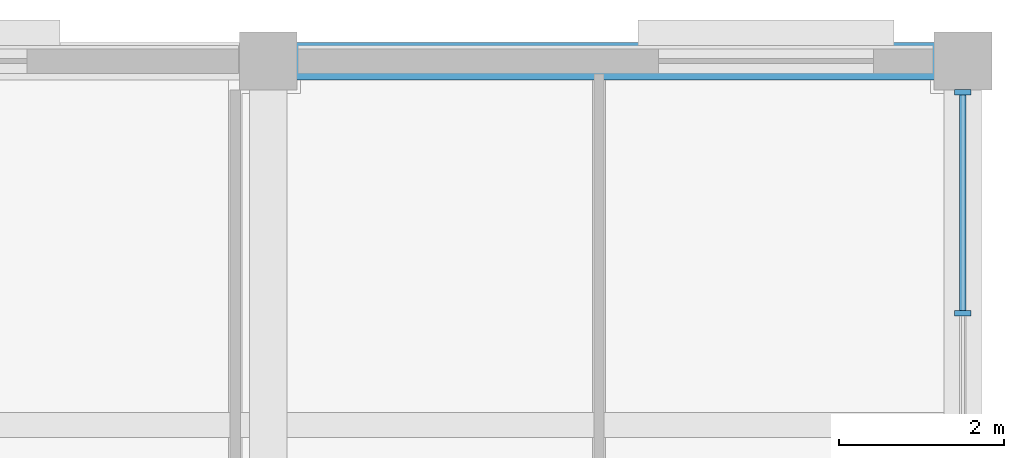
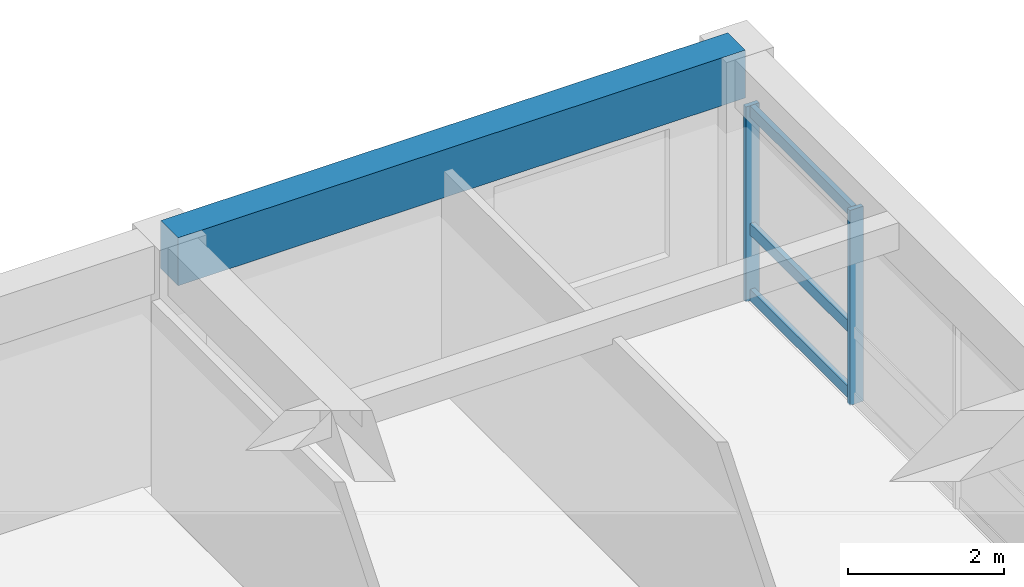
# One storey, part 7 of 13: 5 members, 1 beam, 1 element without a shape of its own.
"""IFC4 building model written with IfcOpenShell, lengths in metres."""

from ifc_helpers import new_model, si_unit, direction, frame, origin, origin_2d, place, context, subcontext, project, spatial, rectangle, extrude, material, material_profile, profile_set, type_object, element, aggregate, save


model = new_model("IFC4")

# Units and contexts
model_context = context("Model", 3, precision=1e-05, world=origin(), true_north=direction((0.0, 1.0)))
body_context = subcontext(model_context, "Body", "Model", "MODEL_VIEW")
ifc_project = project(units=[si_unit("LENGTHUNIT", "METRE"), si_unit("AREAUNIT", "SQUARE_METRE"), si_unit("VOLUMEUNIT", "CUBIC_METRE"), si_unit("PLANEANGLEUNIT", "RADIAN"), si_unit("MASSUNIT", "GRAM", prefix="KILO")], contexts=[model_context])

# Site, building, storey
site_placement = place(None, origin())
site = spatial("IfcSite", under=ifc_project, at=site_placement, CompositionType="ELEMENT")
building_placement = place(site_placement, origin())
building = spatial("IfcBuilding", under=site, at=building_placement, Name="Kemercrest Conservatory and Botanical Centre", CompositionType="ELEMENT")
storey_placement = place(building_placement, frame((0.0, 0.0, 36.800048828125)))
storey = spatial("IfcBuildingStorey", under=building, at=storey_placement, Name="L09", CompositionType="ELEMENT", Elevation=36.800048828125)

# Curtain wall, members
ifc_material_1 = material(Name="Thermally broken aluminium and triple low-e glazing", Category="aluminium")
curtain_wall_type = type_object("IfcCurtainWallType", Name="CW-17", PredefinedType="USERDEFINED", material=ifc_material_1)
curtain_wall_placement = place(storey_placement, origin())
curtain_wall = element("IfcCurtainWall", 1, at=curtain_wall_placement, inside=storey, type_object=curtain_wall_type, Name="Unitised curtain wall CW-17 (CW:L09:V4-106)", ObjectType="UNITISED CURTAIN WALL", PredefinedType="USERDEFINED")
ifc_material_2 = material(Name="Thermally broken anodized aluminium 6063-T6", Category="aluminium")
ifc_material_profile_1 = material_profile(ifc_material_2, rectangle(XDim=0.199951171875, YDim=0.06494140625, at=origin_2d()), Name="AL MULLION 65x200")
ifc_profile_set_1 = profile_set([ifc_material_profile_1], Name="Thermally broken anodized aluminium 6063-T6")
member_type_1 = type_object("IfcMemberType", Name="CW-M200", PredefinedType="MULLION", material=ifc_profile_set_1)
member_1_placement = place(storey_placement, frame((176.0, 119.3515625, 0.0), z_axis=(0.0, 0.0, 1.0), x_axis=(-1.0, 0.0, 0.0)))
member_1 = element("IfcMember", 2, at=member_1_placement, type_object=member_type_1, Name="CW-17 mullion 3", PredefinedType="MULLION", context=body_context, shape_type="SweptSolid", body=[
    extrude(rectangle(XDim=0.199951171875, YDim=0.06494140625, at=origin_2d()), origin(), (0.0, 0.0, 1.0), 3.054931640625),
])
member_2_placement = place(storey_placement, frame((176.0, 122.0224609375, 0.0), z_axis=(0.0, 0.0, 1.0), x_axis=(-1.0, 0.0, 0.0)))
member_2 = element("IfcMember", 3, at=member_2_placement, type_object=member_type_1, Name="CW-17 mullion 4", PredefinedType="MULLION", context=body_context, shape_type="SweptSolid", body=[
    extrude(rectangle(XDim=0.199951171875, YDim=0.06494140625, at=origin_2d()), origin(), (0.0, 0.0, 1.0), 3.054931640625),
])
ifc_material_profile_2 = material_profile(ifc_material_2, rectangle(XDim=0.074951171875, YDim=0.179931640625, at=origin_2d()), Name="AL TRANSOM 75x180")
ifc_profile_set_2 = profile_set([ifc_material_profile_2], Name="Thermally broken anodized aluminium 6063-T6")
member_type_2 = type_object("IfcMemberType", Name="CW-T180", PredefinedType="USERDEFINED", material=ifc_profile_set_2)
member_3_placement = place(storey_placement, frame((176.0, 119.38427734375, 0.08984375), z_axis=(0.0, 1.0, 0.0), x_axis=(-1.0, 0.0, 0.0)))
member_3 = element("IfcMember", 4, at=member_3_placement, type_object=member_type_2, Name="CW-17 transom 3.1", ObjectType="TRANSOM", PredefinedType="USERDEFINED", context=body_context, shape_type="SweptSolid", body=[
    extrude(rectangle(XDim=0.074951171875, YDim=0.179931640625, at=origin_2d()), origin(), (0.0, 0.0, 1.0), 2.605712890625),
])
member_4_placement = place(storey_placement, frame((176.0, 119.38427734375, 1.119873046875), z_axis=(0.0, 1.0, 0.0), x_axis=(-1.0, 0.0, 0.0)))
member_4 = element("IfcMember", 5, at=member_4_placement, type_object=member_type_2, Name="CW-17 transom 3.2", ObjectType="TRANSOM", PredefinedType="USERDEFINED", context=body_context, shape_type="SweptSolid", body=[
    extrude(rectangle(XDim=0.074951171875, YDim=0.179931640625, at=origin_2d()), origin(), (0.0, 0.0, 1.0), 2.605712890625),
])
member_5_placement = place(storey_placement, frame((176.0, 119.38427734375, 2.96484375), z_axis=(0.0, 1.0, 0.0), x_axis=(-1.0, 0.0, 0.0)))
member_5 = element("IfcMember", 6, at=member_5_placement, type_object=member_type_2, Name="CW-17 transom 3.3", ObjectType="TRANSOM", PredefinedType="USERDEFINED", context=body_context, shape_type="SweptSolid", body=[
    extrude(rectangle(XDim=0.074951171875, YDim=0.179931640625, at=origin_2d()), origin(), (0.0, 0.0, 1.0), 2.605712890625),
])
aggregate(curtain_wall, [member_1, member_2, member_3, member_4, member_5])

# Beam
ifc_material_3 = material(Name="Concrete C40/50", Category="concrete")
ifc_material_profile_3 = material_profile(ifc_material_3, rectangle(XDim=0.449951171875, YDim=0.75, at=origin_2d()), Name="RC 450x750")
ifc_profile_set_3 = profile_set([ifc_material_profile_3], Name="Concrete C40/50")
beam_type = type_object("IfcBeamType", Name="SP-RC75", PredefinedType="SPANDREL", material=ifc_profile_set_3)
beam_placement = place(storey_placement, frame((167.60009765625, 122.39990234375, 3.425048828125), z_axis=(1.0, 0.0, 0.0), x_axis=(0.0, 1.0, 0.0)))
element("IfcBeam", 7, at=beam_placement, inside=storey, type_object=beam_type, Name="V4-L10 beam SP-RC75 P/20-21", PredefinedType="SPANDREL", context=body_context, shape_type="SweptSolid", body=[
    extrude(rectangle(XDim=0.449951171875, YDim=0.75, at=origin_2d()), origin(), (0.0, 0.0, 1.0), 8.39990234375),
])

save(model, "model.ifc")
